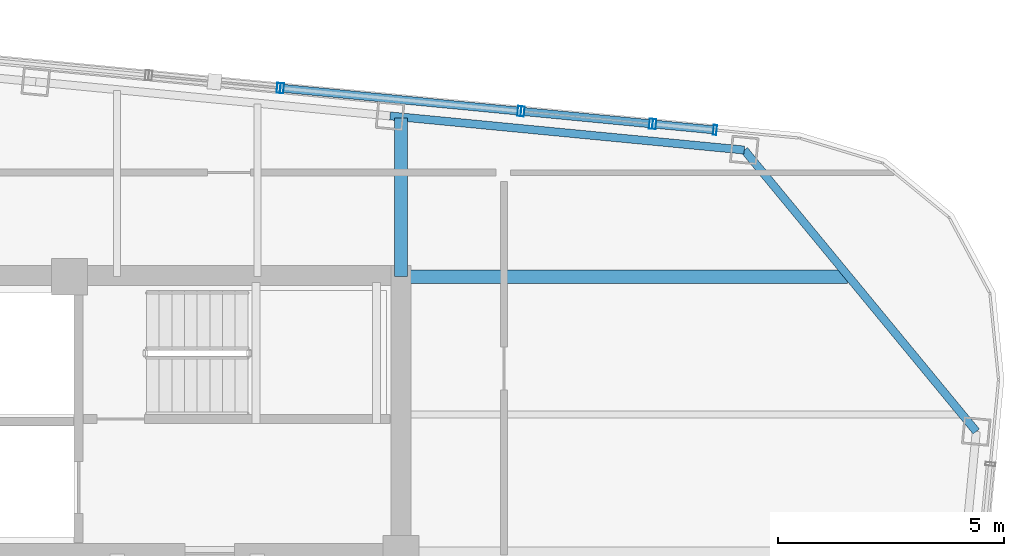
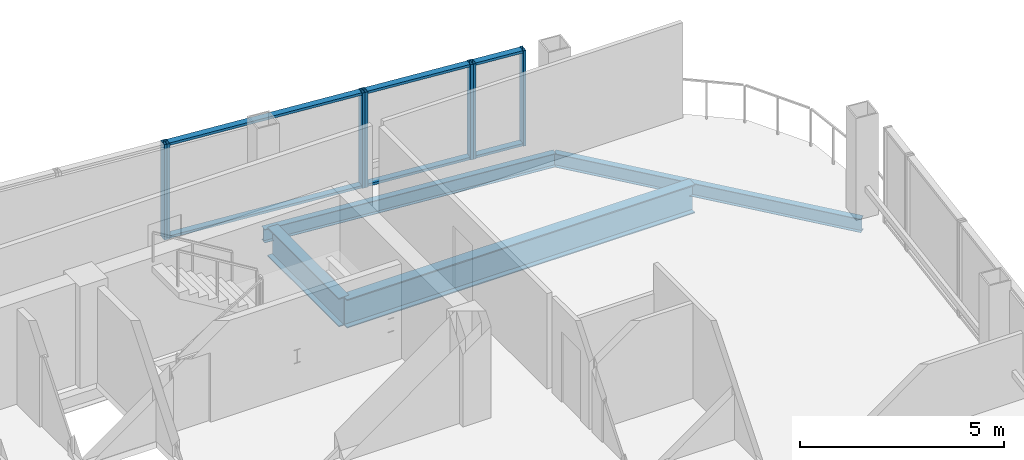
# One storey, part 19 of 26: 13 members, 4 beams, 4 elements without a shape of their own.
"""IFC4 building model written with IfcOpenShell, lengths in metres."""

from ifc_helpers import new_model, si_unit, direction, frame, origin, origin_2d, place, context, subcontext, project, spatial, hollow_rectangle, i_section, extrude, material, layer, layer_set, material_profile, profile_set, type_object, element, aggregate, save


model = new_model("IFC4")

# Units and contexts
model_context = context("Model", 3, precision=1e-05, world=origin(), true_north=direction((0.0, 1.0)))
body_context = subcontext(model_context, "Body", "Model", "MODEL_VIEW")
ifc_project = project(units=[si_unit("LENGTHUNIT", "METRE"), si_unit("AREAUNIT", "SQUARE_METRE"), si_unit("VOLUMEUNIT", "CUBIC_METRE"), si_unit("PLANEANGLEUNIT", "RADIAN"), si_unit("MASSUNIT", "GRAM", prefix="KILO")], contexts=[model_context])

# Site, building, storey
site_placement = place(None, origin())
site = spatial("IfcSite", under=ifc_project, at=site_placement, CompositionType="ELEMENT")
building_placement = place(site_placement, origin())
building = spatial("IfcBuilding", under=site, at=building_placement, Name="Qhalaya Broadcast Tower", CompositionType="ELEMENT")
storey_placement = place(building_placement, frame((0.0, 0.0, 248.949951171875)))
storey = spatial("IfcBuildingStorey", under=building, at=storey_placement, Name="L73", CompositionType="ELEMENT", Elevation=248.949951171875)

# Curtain wall, members
ifc_material_1 = material(Name="Fired Architectural Terracotta", Category="masonry")
ifc_layer_1 = layer(ifc_material_1, 0.219970703125, Name="Fired Architectural Terracotta")
ifc_layer_set_1 = layer_set([ifc_layer_1], Name="Fired Architectural Terracotta")
curtain_wall_type_1 = type_object("IfcCurtainWallType", Name="Block-Cap Unitised Terracotta Spandrel Wall CW-07", PredefinedType="NOTDEFINED", material=ifc_layer_set_1)
curtain_wall_1_placement = place(storey_placement, origin())
curtain_wall_1 = element("IfcCurtainWall", 1, at=curtain_wall_1_placement, inside=storey, type_object=curtain_wall_type_1, Name="L73 Unitised Curtain Wall L73-CW-N1", PredefinedType="NOTDEFINED")
ifc_material_2 = material(Name="Anodised Aluminium 6063-T6", Category="aluminium")
ifc_material_profile_1 = material_profile(ifc_material_2, hollow_rectangle(XDim=0.074951171875, YDim=0.219970703125, WallThickness=0.00390625, at=origin_2d()), Name="ALU-MUL 75x220x4")
ifc_profile_set_1 = profile_set([ifc_material_profile_1], Name="Anodised Aluminium 6063-T6")
member_type_1 = type_object("IfcMemberType", Name="Unitised Curtain-Wall Mullion M01", PredefinedType="MULLION", material=ifc_profile_set_1)
member_1_placement = place(storey_placement, frame((16.315185546875, 13.192626953125, 0.0), z_axis=(0.0, 0.0, 1.0), x_axis=(-0.995396007008, 0.095847739846, 0.0)))
member_1 = element("IfcMember", 2, at=member_1_placement, type_object=member_type_1, Name="CW-07 mullion 1", PredefinedType="MULLION", context=body_context, shape_type="SweptSolid", body=[
    extrude(hollow_rectangle(XDim=0.074951171875, YDim=0.219970703125, WallThickness=0.00390625, at=origin_2d()), origin(), (0.0, 0.0, 1.0), 2.860107421875),
])
member_2_placement = place(storey_placement, frame((14.97412109375, 13.32177734375, 0.0), z_axis=(0.0, 0.0, 1.0), x_axis=(-0.995396007008, 0.095847739846, 0.0)))
member_2 = element("IfcMember", 3, at=member_2_placement, type_object=member_type_1, Name="CW-07 mullion 2", PredefinedType="MULLION", context=body_context, shape_type="SweptSolid", body=[
    extrude(hollow_rectangle(XDim=0.074951171875, YDim=0.219970703125, WallThickness=0.00390625, at=origin_2d()), origin(), (0.0, 0.0, 1.0), 2.860107421875),
])

ifc_material_3 = material(Name="Solar-Control Low-E Triple Glazing", Category="glass")
ifc_layer_2 = layer(ifc_material_3, 0.219970703125, Name="Solar-Control Low-E Triple Glazing")
ifc_layer_set_2 = layer_set([ifc_layer_2], Name="Solar-Control Low-E Triple Glazing")
curtain_wall_type_2 = type_object("IfcCurtainWallType", Name="High-Altitude Upper-Shaft Triple Low-E Curtain Wall CW-04", PredefinedType="NOTDEFINED", material=ifc_layer_set_2)
curtain_wall_2_placement = place(storey_placement, origin())
curtain_wall_2 = element("IfcCurtainWall", 4, at=curtain_wall_2_placement, inside=storey, type_object=curtain_wall_type_2, Name="L73 Unitised Curtain Wall L73-CW-N2", PredefinedType="NOTDEFINED")
member_3_placement = place(storey_placement, frame((14.899658203125, 13.328857421875, 0.0), z_axis=(0.0, 0.0, 1.0), x_axis=(-0.99539466371, 0.095861689211, 0.0)))
member_3 = element("IfcMember", 5, at=member_3_placement, type_object=member_type_1, Name="CW-04 mullion 1", PredefinedType="MULLION", context=body_context, shape_type="SweptSolid", body=[
    extrude(hollow_rectangle(XDim=0.074951171875, YDim=0.219970703125, WallThickness=0.00390625, at=origin_2d()), origin(), (0.0, 0.0, 1.0), 2.860107421875),
])
member_4_placement = place(storey_placement, frame((12.064697265625, 13.601806640625, 0.0), z_axis=(0.0, 0.0, 1.0), x_axis=(-0.99539466371, 0.095861689211, 0.0)))
member_4 = element("IfcMember", 6, at=member_4_placement, type_object=member_type_1, Name="CW-04 mullion 2", PredefinedType="MULLION", context=body_context, shape_type="SweptSolid", body=[
    extrude(hollow_rectangle(XDim=0.074951171875, YDim=0.219970703125, WallThickness=0.00390625, at=origin_2d()), origin(), (0.0, 0.0, 1.0), 2.860107421875),
])

curtain_wall_3_placement = place(storey_placement, origin())
curtain_wall_3 = element("IfcCurtainWall", 7, at=curtain_wall_3_placement, inside=storey, type_object=curtain_wall_type_1, Name="L73 Unitised Curtain Wall L73-CW-N3", PredefinedType="NOTDEFINED")
member_5_placement = place(storey_placement, frame((11.989990234375, 13.609130859375, 0.0), z_axis=(0.0, 0.0, 1.0), x_axis=(-0.995396263968, 0.095845071223, 0.0)))
member_5 = element("IfcMember", 8, at=member_5_placement, type_object=member_type_1, Name="CW-07 mullion 1", PredefinedType="MULLION", context=body_context, shape_type="SweptSolid", body=[
    extrude(hollow_rectangle(XDim=0.074951171875, YDim=0.219970703125, WallThickness=0.00390625, at=origin_2d()), origin(), (0.0, 0.0, 1.0), 2.860107421875),
])
member_6_placement = place(storey_placement, frame((6.746337890625, 14.114013671875, 0.0), z_axis=(0.0, 0.0, 1.0), x_axis=(-0.995396263968, 0.095845071223, 0.0)))
member_6 = element("IfcMember", 9, at=member_6_placement, type_object=member_type_1, Name="CW-07 mullion 2", PredefinedType="MULLION", context=body_context, shape_type="SweptSolid", body=[
    extrude(hollow_rectangle(XDim=0.074951171875, YDim=0.219970703125, WallThickness=0.00390625, at=origin_2d()), origin(), (0.0, 0.0, 1.0), 2.860107421875),
])

# Curtain wall, member
curtain_wall_4_placement = place(storey_placement, origin())
curtain_wall_4 = element("IfcCurtainWall", 10, at=curtain_wall_4_placement, inside=storey, type_object=curtain_wall_type_2, Name="L73 Unitised Curtain Wall L73-CW-N4", PredefinedType="NOTDEFINED")
member_7_placement = place(storey_placement, frame((6.671630859375, 14.12109375, 0.0), z_axis=(0.0, 0.0, 1.0), x_axis=(-0.995397805992, 0.095829055234, 0.0)))
member_7 = element("IfcMember", 11, at=member_7_placement, type_object=member_type_1, Name="CW-04 mullion 1", PredefinedType="MULLION", context=body_context, shape_type="SweptSolid", body=[
    extrude(hollow_rectangle(XDim=0.074951171875, YDim=0.219970703125, WallThickness=0.00390625, at=origin_2d()), origin(), (0.0, 0.0, 1.0), 2.860107421875),
])
aggregate(curtain_wall_4, [member_7])

# Member
ifc_material_profile_2 = material_profile(ifc_material_2, hollow_rectangle(XDim=0.074951171875, YDim=0.179931640625, WallThickness=0.00390625, at=origin_2d()), Name="ALU-TRN 75x180x4")
ifc_profile_set_2 = profile_set([ifc_material_profile_2], Name="Anodised Aluminium 6063-T6")
member_type_2 = type_object("IfcMemberType", Name="Unitised Curtain-Wall Transom T01", PredefinedType="USERDEFINED", material=ifc_profile_set_2)
member_8_placement = place(storey_placement, frame((16.27783203125, 13.1962890625, 0.03759765625), z_axis=(-0.995404457155, 0.095759942957, 0.0), x_axis=(0.0, 0.0, 1.0)))
member_8 = element("IfcMember", 12, at=member_8_placement, type_object=member_type_2, Name="CW-07 transom 1.1", ObjectType="TRANSOM", PredefinedType="USERDEFINED", context=body_context, shape_type="SweptSolid", body=[
    extrude(hollow_rectangle(XDim=0.074951171875, YDim=0.179931640625, WallThickness=0.00390625, at=origin_2d()), origin(), (0.0, 0.0, 1.0), 1.272216796875),
])

member_9_placement = place(storey_placement, frame((16.27783203125, 13.1962890625, 2.822509765625), z_axis=(-0.995404457155, 0.095759942957, 0.0), x_axis=(0.0, 0.0, 1.0)))
member_9 = element("IfcMember", 13, at=member_9_placement, type_object=member_type_2, Name="CW-07 transom 1.2", ObjectType="TRANSOM", PredefinedType="USERDEFINED", context=body_context, shape_type="SweptSolid", body=[
    extrude(hollow_rectangle(XDim=0.074951171875, YDim=0.179931640625, WallThickness=0.00390625, at=origin_2d()), origin(), (0.0, 0.0, 1.0), 1.272216796875),
])

aggregate(curtain_wall_1, [member_1, member_2, member_8, member_9])

member_10_placement = place(storey_placement, frame((14.8623046875, 13.33251953125, 0.03759765625), z_axis=(-0.995393207476, 0.095876809034, 0.0), x_axis=(0.0, 0.0, 1.0)))
member_10 = element("IfcMember", 14, at=member_10_placement, type_object=member_type_2, Name="CW-04 transom 1.1", ObjectType="TRANSOM", PredefinedType="USERDEFINED", context=body_context, shape_type="SweptSolid", body=[
    extrude(hollow_rectangle(XDim=0.074951171875, YDim=0.179931640625, WallThickness=0.00390625, at=origin_2d()), origin(), (0.0, 0.0, 1.0), 2.77294921875),
])

member_11_placement = place(storey_placement, frame((14.8623046875, 13.33251953125, 2.822509765625), z_axis=(-0.995393207476, 0.095876809034, 0.0), x_axis=(0.0, 0.0, 1.0)))
member_11 = element("IfcMember", 15, at=member_11_placement, type_object=member_type_2, Name="CW-04 transom 1.2", ObjectType="TRANSOM", PredefinedType="USERDEFINED", context=body_context, shape_type="SweptSolid", body=[
    extrude(hollow_rectangle(XDim=0.074951171875, YDim=0.179931640625, WallThickness=0.00390625, at=origin_2d()), origin(), (0.0, 0.0, 1.0), 2.77294921875),
])

aggregate(curtain_wall_2, [member_3, member_4, member_10, member_11])

member_12_placement = place(storey_placement, frame((11.95263671875, 13.61279296875, 0.03759765625), z_axis=(-0.995399031506, 0.095816324684, 0.0), x_axis=(0.0, 0.0, 1.0)))
member_12 = element("IfcMember", 16, at=member_12_placement, type_object=member_type_2, Name="CW-07 transom 1.1", ObjectType="TRANSOM", PredefinedType="USERDEFINED", context=body_context, shape_type="SweptSolid", body=[
    extrude(hollow_rectangle(XDim=0.074951171875, YDim=0.179931640625, WallThickness=0.00390625, at=origin_2d()), origin(), (0.0, 0.0, 1.0), 5.19287109375),
])

member_13_placement = place(storey_placement, frame((11.95263671875, 13.61279296875, 2.822509765625), z_axis=(-0.995399031506, 0.095816324684, 0.0), x_axis=(0.0, 0.0, 1.0)))
member_13 = element("IfcMember", 17, at=member_13_placement, type_object=member_type_2, Name="CW-07 transom 1.2", ObjectType="TRANSOM", PredefinedType="USERDEFINED", context=body_context, shape_type="SweptSolid", body=[
    extrude(hollow_rectangle(XDim=0.074951171875, YDim=0.179931640625, WallThickness=0.00390625, at=origin_2d()), origin(), (0.0, 0.0, 1.0), 5.19287109375),
])

aggregate(curtain_wall_3, [member_5, member_6, member_12, member_13])

# Beams
ifc_material_4 = material(Name="Structural Steel ASTM A992 Grade 50", Category="steel")
ifc_material_profile_3 = material_profile(ifc_material_4, i_section(OverallWidth=0.2919921875, OverallDepth=0.85888671875, WebThickness=0.01708984375, FlangeThickness=0.031005859375, at=origin_2d()), Name="W33X169")
ifc_profile_set_3 = profile_set([ifc_material_profile_3], Name="Structural Steel ASTM A992 Grade 50")
beam_type_1 = type_object("IfcBeamType", Name="Upper Block Primary Girder PG4", PredefinedType="USERDEFINED", material=ifc_profile_set_3)
beam_1_placement = place(storey_placement, frame((9.375, 9.949951171875, -0.619384765625), z_axis=(0.0, 1.0, 0.0), x_axis=(-1.0, 0.0, 0.0)))
element("IfcBeam", 18, at=beam_1_placement, inside=storey, type_object=beam_type_1, Name="L73 PG4 L73-PGXN2-1", ObjectType="GIRDER", PredefinedType="USERDEFINED", context=body_context, shape_type="SweptSolid", body=[
    extrude(i_section(OverallWidth=0.2919921875, OverallDepth=0.85888671875, WebThickness=0.01708984375, FlangeThickness=0.031005859375, at=origin_2d()), origin(), (0.0, 0.0, 1.0), 3.509033203125),
])
beam_2_placement = place(storey_placement, frame((9.375, 9.949951171875, -0.619384765625), z_axis=(1.0, 0.0, 0.0), x_axis=(0.0, 1.0, 0.0)))
element("IfcBeam", 19, at=beam_2_placement, inside=storey, type_object=beam_type_1, Name="L73 PG4 L73-PGYE4-1", ObjectType="GIRDER", PredefinedType="USERDEFINED", context=body_context, shape_type="SweptSolid", body=[
    extrude(i_section(OverallWidth=0.2919921875, OverallDepth=0.85888671875, WebThickness=0.01708984375, FlangeThickness=0.031005859375, at=origin_2d()), origin(), (0.0, 0.0, 1.0), 9.868896484375),
])
ifc_material_profile_4 = material_profile(ifc_material_4, i_section(OverallWidth=0.177978515625, OverallDepth=0.406005859375, WebThickness=0.0078125, FlangeThickness=0.0126953125, at=origin_2d()), Name="W16X40")
ifc_profile_set_4 = profile_set([ifc_material_profile_4], Name="Structural Steel ASTM A992 Grade 50")
beam_type_2 = type_object("IfcBeamType", Name="Upper Perimeter Spandrel Beam SP2", PredefinedType="SPANDREL", material=ifc_profile_set_4)
beam_3_placement = place(storey_placement, frame((22.09033203125, 6.5283203125, -0.39306640625), z_axis=(-0.636070241972, 0.771631160126, 0.0), x_axis=(-0.771631160126, -0.636070241972, 0.0)))
element("IfcBeam", 20, at=beam_3_placement, inside=storey, type_object=beam_type_2, Name="L73 SP2 L73-SPR-08", PredefinedType="SPANDREL", context=body_context, shape_type="SweptSolid", body=[
    extrude(i_section(OverallWidth=0.177978515625, OverallDepth=0.406005859375, WebThickness=0.0078125, FlangeThickness=0.0126953125, at=origin_2d()), origin(), (0.0, 0.0, 1.0), 8.06103515625),
])
beam_4_placement = place(storey_placement, frame((16.962890625, 12.74853515625, -0.39306640625), z_axis=(-0.995397023367, 0.095837184179, 0.0), x_axis=(-0.095837184179, -0.995397023367, 0.0)))
element("IfcBeam", 21, at=beam_4_placement, inside=storey, type_object=beam_type_2, Name="L73 SP2 L73-SPR-09", PredefinedType="SPANDREL", context=body_context, shape_type="SweptSolid", body=[
    extrude(i_section(OverallWidth=0.177978515625, OverallDepth=0.406005859375, WebThickness=0.0078125, FlangeThickness=0.0126953125, at=origin_2d()), origin(), (0.0, 0.0, 1.0), 7.866455078125),
])

save(model, "model.ifc")
